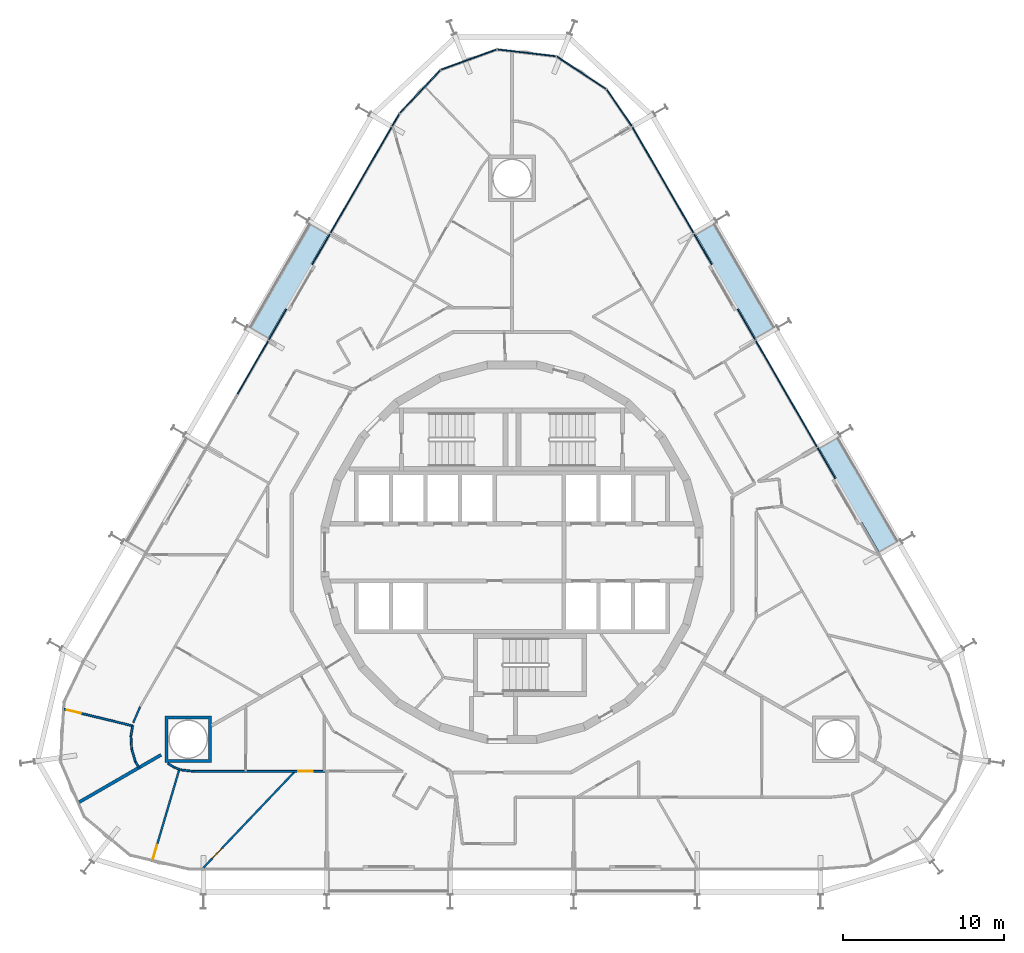
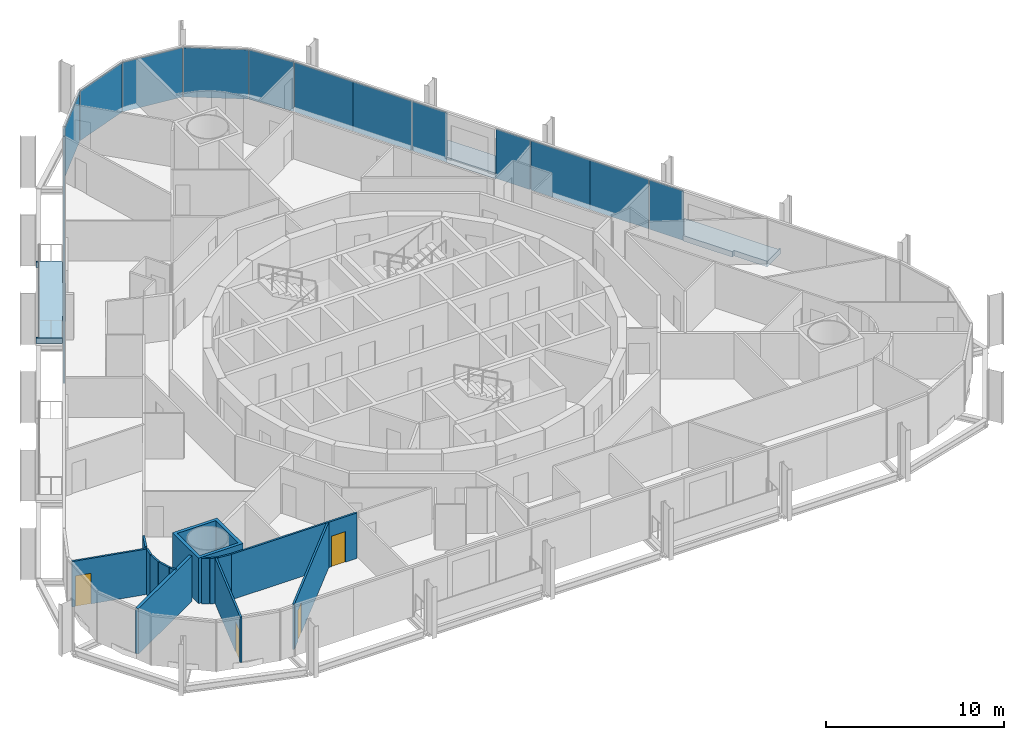
# One storey, part 12 of 20: 18 plates, 14 walls, 4 doors, 3 slabs, 4 openings, 3 elements without a shape of their own.
"""IFC4 building model written with IfcOpenShell, lengths in metres."""

from ifc_helpers import new_model, si_unit, direction, frame, frame_2d, origin, origin_2d, place, context, subcontext, project, spatial, polyline, rectangle, outline, extrude, material, layer, layer_set, type_object, element, fill, aggregate, save


model = new_model("IFC4")

# Units and contexts
model_context = context("Model", 3, precision=1e-05, world=origin(), true_north=direction((0.0, 1.0)))
body_context = subcontext(model_context, "Body", "Model", "MODEL_VIEW")
ifc_project = project(units=[si_unit("LENGTHUNIT", "METRE"), si_unit("AREAUNIT", "SQUARE_METRE"), si_unit("VOLUMEUNIT", "CUBIC_METRE"), si_unit("PLANEANGLEUNIT", "RADIAN"), si_unit("MASSUNIT", "GRAM", prefix="KILO")], contexts=[model_context])

# Site, building, storey
site_placement = place(None, origin())
site = spatial("IfcSite", under=ifc_project, at=site_placement, CompositionType="ELEMENT")
building_placement = place(site_placement, origin())
building = spatial("IfcBuilding", under=site, at=building_placement, Name="Spindle Arch Residences", CompositionType="ELEMENT")
storey_placement = place(building_placement, frame((0.0, 0.0, 59.39990234375)))
storey = spatial("IfcBuildingStorey", under=building, at=storey_placement, Name="L13", CompositionType="ELEMENT", Elevation=59.39990234375)

# Slabs
ifc_material_1 = material(Name="Concrete C40/50", Category="concrete")
ifc_layer_1 = layer(ifc_material_1, 0.3798828125)
ifc_layer_set_1 = layer_set([ifc_layer_1], Name="Balcony slab 380")
slab_type = type_object("IfcSlabType", Name="Balcony slab 380", PredefinedType="FLOOR", material=ifc_layer_set_1)
slab_1_placement = place(storey_placement, frame((0.0, 0.0, -0.3798828125)))
element("IfcSlab", 1, at=slab_1_placement, inside=storey, type_object=slab_type, Name="Balcony L13 bay 7", PredefinedType="FLOOR", context=body_context, shape_type="SweptSolid", body=[
    extrude(outline(polyline([(24.151611328125, 0.728271484375), (24.114013671875, 0.793212890625), (23.984130859375, 0.71826171875), (20.2939453125, 7.109375), (20.424072265625, 7.1845703125), (20.386474609375, 7.24951171875), (19.09619140625, 6.50439453125), (20.1787109375, 4.62939453125), (20.0400390625, 4.549560546875), (21.64013671875, 1.778076171875), (21.778564453125, 1.858154296875), (22.861083984375, -0.016845703125), (24.151611328125, 0.728271484375)])), origin(), (0.0, 0.0, 1.0), 0.3798828125),
])
slab_2_placement = place(storey_placement, frame((0.0, 0.0, -0.3798828125)))
element("IfcSlab", 2, at=slab_2_placement, inside=storey, type_object=slab_type, Name="Balcony L13 bay 9", PredefinedType="FLOOR", context=body_context, shape_type="SweptSolid", body=[
    extrude(outline(polyline([(16.471435546875, 14.030517578125), (16.433837890625, 14.095458984375), (16.303955078125, 14.0205078125), (12.614013671875, 20.411865234375), (12.743896484375, 20.48681640625), (12.706298828125, 20.5517578125), (11.416015625, 19.806640625), (12.49853515625, 17.931640625), (12.35986328125, 17.851806640625), (13.9599609375, 15.08056640625), (14.0986328125, 15.160400390625), (15.18115234375, 13.285400390625), (16.471435546875, 14.030517578125)])), origin(), (0.0, 0.0, 1.0), 0.3798828125),
])
slab_3_placement = place(storey_placement, frame((0.0, 0.0, -0.3798828125)))
element("IfcSlab", 3, at=slab_3_placement, inside=storey, type_object=slab_type, Name="Balcony L13 bay 15", PredefinedType="FLOOR", context=body_context, shape_type="SweptSolid", body=[
    extrude(outline(polyline([(-12.706298828125, 20.5517578125), (-12.743896484375, 20.48681640625), (-12.614013671875, 20.411865234375), (-16.303955078125, 14.0205078125), (-16.433837890625, 14.095458984375), (-16.471435546875, 14.030517578125), (-15.18115234375, 13.285400390625), (-14.0986328125, 15.160400390625), (-13.9599609375, 15.08056640625), (-12.35986328125, 17.851806640625), (-12.49853515625, 17.931640625), (-11.416015625, 19.806640625), (-12.706298828125, 20.5517578125)])), origin(), (0.0, 0.0, 1.0), 0.3798828125),
])

# Curtain wall, plates
ifc_material_2 = material(Name="Aluminium bronze unitised frame with tinted glass", Category="aluminium")
ifc_layer_2 = layer(ifc_material_2, 0.159912109375)
ifc_layer_set_2 = layer_set([ifc_layer_2], Name="CW-C typical residential unitised wall")
curtain_wall_type_1 = type_object("IfcCurtainWallType", Name="CW-C typical residential unitised wall", PredefinedType="NOTDEFINED", material=ifc_layer_set_2)
curtain_wall_1_placement = place(storey_placement, origin())
curtain_wall_1 = element("IfcCurtainWall", 4, at=curtain_wall_1_placement, inside=storey, type_object=curtain_wall_type_1, Name="CW-C L13 run 2", PredefinedType="NOTDEFINED")
ifc_material_3 = material(Name="Tinted double glazing over non-combustible spandrel zone with 0.55 mm stainless steel cavity fire stop (K0)", Category="steel")
ifc_layer_3 = layer(ifc_material_3, 0.070068359375)
ifc_layer_set_3 = layer_set([ifc_layer_3], Name="Unitised glass panel with spandrel zone and stainless cavity fire stop")
plate_type = type_object("IfcPlateType", Name="Unitised glass panel with spandrel zone and stainless cavity fire stop", PredefinedType="CURTAIN_PANEL", material=ifc_layer_set_3)
plate_1_placement = place(storey_placement, frame((19.556884765625, 5.54638671875, -0.3798828125), z_axis=(0.0, 0.0, 1.0), x_axis=(-0.5, 0.866025403784, 0.0)))
plate_1 = element("IfcPlate", 5, at=plate_1_placement, type_object=plate_type, Name="CW-C unit 06R", PredefinedType="CURTAIN_PANEL", context=body_context, shape_type="SweptSolid", body=[
    extrude(rectangle(XDim=2.2099609375, YDim=0.070068359375, at=origin_2d()), origin(), (0.0, 0.0, 1.0), 3.3798828125),
])
plate_2_placement = place(storey_placement, frame((18.021728515625, 8.205078125, -0.3798828125), z_axis=(0.0, 0.0, 1.0), x_axis=(-0.5, 0.866025403784, 0.0)))
plate_2 = element("IfcPlate", 6, at=plate_2_placement, type_object=plate_type, Name="CW-C unit 07A", PredefinedType="CURTAIN_PANEL", context=body_context, shape_type="SweptSolid", body=[
    extrude(rectangle(XDim=3.81005859375, YDim=0.070068359375, at=origin_2d()), origin(), (0.0, 0.0, 1.0), 3.3798828125),
])
plate_3_placement = place(storey_placement, frame((16.11669921875, 11.504638671875, -0.3798828125), z_axis=(0.0, 0.0, 1.0), x_axis=(-0.5, 0.866025403784, 0.0)))
plate_3 = element("IfcPlate", 7, at=plate_3_placement, type_object=plate_type, Name="CW-C unit 07B", PredefinedType="CURTAIN_PANEL", context=body_context, shape_type="SweptSolid", body=[
    extrude(rectangle(XDim=3.81005859375, YDim=0.070068359375, at=origin_2d()), origin(), (0.0, 0.0, 1.0), 3.3798828125),
])
plate_4_placement = place(storey_placement, frame((14.581787109375, 14.16357421875, -0.3798828125), z_axis=(0.0, 0.0, 1.0), x_axis=(-0.5, 0.866025403784, 0.0)))
plate_4 = element("IfcPlate", 8, at=plate_4_placement, type_object=plate_type, Name="CW-C unit 08L", PredefinedType="CURTAIN_PANEL", context=body_context, shape_type="SweptSolid", body=[
    extrude(rectangle(XDim=2.2099609375, YDim=0.070068359375, at=origin_2d()), origin(), (0.0, 0.0, 1.0), 3.3798828125),
])
plate_5_placement = place(storey_placement, frame((11.876708984375, 18.8486328125, -0.3798828125), z_axis=(0.0, 0.0, 1.0), x_axis=(-0.5, 0.866025403784, 0.0)))
plate_5 = element("IfcPlate", 9, at=plate_5_placement, type_object=plate_type, Name="CW-C unit 08R", PredefinedType="CURTAIN_PANEL", context=body_context, shape_type="SweptSolid", body=[
    extrude(rectangle(XDim=2.2099609375, YDim=0.070068359375, at=origin_2d()), origin(), (0.0, 0.0, 1.0), 3.3798828125),
])
plate_6_placement = place(storey_placement, frame((10.341796875, 21.50732421875, -0.3798828125), z_axis=(0.0, 0.0, 1.0), x_axis=(-0.5, 0.866025403784, 0.0)))
plate_6 = element("IfcPlate", 10, at=plate_6_placement, type_object=plate_type, Name="CW-C unit 09A", PredefinedType="CURTAIN_PANEL", context=body_context, shape_type="SweptSolid", body=[
    extrude(rectangle(XDim=3.81005859375, YDim=0.070068359375, at=origin_2d()), origin(), (0.0, 0.0, 1.0), 3.3798828125),
])
plate_7_placement = place(storey_placement, frame((8.436767578125, 24.80712890625, -0.3798828125), z_axis=(0.0, 0.0, 1.0), x_axis=(-0.5, 0.866025403784, 0.0)))
plate_7 = element("IfcPlate", 11, at=plate_7_placement, type_object=plate_type, Name="CW-C unit 09B", PredefinedType="CURTAIN_PANEL", context=body_context, shape_type="SweptSolid", body=[
    extrude(rectangle(XDim=3.81005859375, YDim=0.070068359375, at=origin_2d()), origin(), (0.0, 0.0, 1.0), 3.3798828125),
])
aggregate(curtain_wall_1, [plate_1, plate_2, plate_3, plate_4, plate_5, plate_6, plate_7])

ifc_material_4 = material(Name="Aluminium bronze unitised frame with tinted glass", Category="aluminium")
ifc_layer_4 = layer(ifc_material_4, 0.159912109375)
ifc_layer_set_4 = layer_set([ifc_layer_4], Name="CW-D corner wall on the fillet arcs")
curtain_wall_type_2 = type_object("IfcCurtainWallType", Name="CW-D corner wall on the fillet arcs", PredefinedType="NOTDEFINED", material=ifc_layer_set_4)
curtain_wall_2_placement = place(storey_placement, origin())
curtain_wall_2 = element("IfcCurtainWall", 12, at=curtain_wall_2_placement, inside=storey, type_object=curtain_wall_type_2, Name="CW-D L13 run 3", PredefinedType="NOTDEFINED")
plate_8_placement = place(storey_placement, frame((6.673095703125, 27.643798828125, -0.3798828125), z_axis=(0.0, 0.0, 1.0), x_axis=(-0.565500718711, 0.824747802142, 0.0)))
plate_8 = element("IfcPlate", 13, at=plate_8_placement, type_object=plate_type, Name="CW-D unit 00", PredefinedType="CURTAIN_PANEL", context=body_context, shape_type="SweptSolid", body=[
    extrude(rectangle(XDim=2.755126953125, YDim=0.070068359375, at=origin_2d()), origin(), (0.0, 0.0, 1.0), 3.3798828125),
])
plate_9_placement = place(storey_placement, frame((4.3203125, 29.82861328125, -0.3798828125), z_axis=(0.0, 0.0, 1.0), x_axis=(-0.835487811704, 0.549508977628, 0.0)))
plate_9 = element("IfcPlate", 14, at=plate_9_placement, type_object=plate_type, Name="CW-D unit 01", PredefinedType="CURTAIN_PANEL", context=body_context, shape_type="SweptSolid", body=[
    extrude(rectangle(XDim=3.666748046875, YDim=0.070068359375, at=origin_2d()), origin(), (0.0, 0.0, 1.0), 3.3798828125),
])
plate_10_placement = place(storey_placement, frame((0.912841796875, 31.06884765625, -0.3798828125), z_axis=(0.0, 0.0, 1.0), x_axis=(-0.993238357591, 0.116092915414, 0.0)))
plate_10 = element("IfcPlate", 15, at=plate_10_placement, type_object=plate_type, Name="CW-D unit 02", PredefinedType="CURTAIN_PANEL", context=body_context, shape_type="SweptSolid", body=[
    extrude(rectangle(XDim=3.666748046875, YDim=0.070068359375, at=origin_2d()), origin(), (0.0, 0.0, 1.0), 3.3798828125),
])
plate_11_placement = place(storey_placement, frame((-2.68896484375, 30.64794921875, -0.3798828125), z_axis=(0.0, 0.0, 1.0), x_axis=(-0.939692621437, -0.342020141538, 0.0)))
plate_11 = element("IfcPlate", 16, at=plate_11_placement, type_object=plate_type, Name="CW-D unit 03", PredefinedType="CURTAIN_PANEL", context=body_context, shape_type="SweptSolid", body=[
    extrude(rectangle(XDim=3.666748046875, YDim=0.070068359375, at=origin_2d()), origin(), (0.0, 0.0, 1.0), 3.3798828125),
])
plate_12_placement = place(storey_placement, frame((-5.71875, 28.6552734375, -0.3798828125), z_axis=(0.0, 0.0, 1.0), x_axis=(-0.686241639236, -0.727373640284, 0.0)))
plate_12 = element("IfcPlate", 17, at=plate_12_placement, type_object=plate_type, Name="CW-D unit 04", PredefinedType="CURTAIN_PANEL", context=body_context, shape_type="SweptSolid", body=[
    extrude(rectangle(XDim=3.666748046875, YDim=0.070068359375, at=origin_2d()), origin(), (0.0, 0.0, 1.0), 3.3798828125),
])
plate_13_placement = place(storey_placement, frame((-7.2333984375, 26.891357421875, -0.3798828125), z_axis=(0.0, 0.0, 1.0), x_axis=(-0.5, -0.866025403784, 0.0)))
plate_13 = element("IfcPlate", 18, at=plate_13_placement, type_object=plate_type, Name="CW-D unit 05", PredefinedType="CURTAIN_PANEL", context=body_context, shape_type="SweptSolid", body=[
    extrude(rectangle(XDim=0.88330078125, YDim=0.070068359375, at=origin_2d()), origin(), (0.0, 0.0, 1.0), 3.3798828125),
])
aggregate(curtain_wall_2, [plate_8, plate_9, plate_10, plate_11, plate_12, plate_13])

curtain_wall_3_placement = place(storey_placement, origin())
curtain_wall_3 = element("IfcCurtainWall", 19, at=curtain_wall_3_placement, inside=storey, type_object=curtain_wall_type_1, Name="CW-C L13 run 4", PredefinedType="NOTDEFINED")
plate_14_placement = place(storey_placement, frame((-8.436767578125, 24.80712890625, -0.3798828125), z_axis=(0.0, 0.0, 1.0), x_axis=(-0.5, -0.866025403784, 0.0)))
plate_14 = element("IfcPlate", 20, at=plate_14_placement, type_object=plate_type, Name="CW-C unit 13A", PredefinedType="CURTAIN_PANEL", context=body_context, shape_type="SweptSolid", body=[
    extrude(rectangle(XDim=3.81005859375, YDim=0.070068359375, at=origin_2d()), origin(), (0.0, 0.0, 1.0), 3.3798828125),
])
plate_15_placement = place(storey_placement, frame((-10.341796875, 21.50732421875, -0.3798828125), z_axis=(0.0, 0.0, 1.0), x_axis=(-0.5, -0.866025403784, 0.0)))
plate_15 = element("IfcPlate", 21, at=plate_15_placement, type_object=plate_type, Name="CW-C unit 13B", PredefinedType="CURTAIN_PANEL", context=body_context, shape_type="SweptSolid", body=[
    extrude(rectangle(XDim=3.81005859375, YDim=0.070068359375, at=origin_2d()), origin(), (0.0, 0.0, 1.0), 3.3798828125),
])
plate_16_placement = place(storey_placement, frame((-11.876708984375, 18.8486328125, -0.3798828125), z_axis=(0.0, 0.0, 1.0), x_axis=(-0.5, -0.866025403784, 0.0)))
plate_16 = element("IfcPlate", 22, at=plate_16_placement, type_object=plate_type, Name="CW-C unit 14L", PredefinedType="CURTAIN_PANEL", context=body_context, shape_type="SweptSolid", body=[
    extrude(rectangle(XDim=2.2099609375, YDim=0.070068359375, at=origin_2d()), origin(), (0.0, 0.0, 1.0), 3.3798828125),
])
plate_17_placement = place(storey_placement, frame((-14.581787109375, 14.16357421875, -0.3798828125), z_axis=(0.0, 0.0, 1.0), x_axis=(-0.5, -0.866025403784, 0.0)))
plate_17 = element("IfcPlate", 23, at=plate_17_placement, type_object=plate_type, Name="CW-C unit 14R", PredefinedType="CURTAIN_PANEL", context=body_context, shape_type="SweptSolid", body=[
    extrude(rectangle(XDim=2.2099609375, YDim=0.070068359375, at=origin_2d()), origin(), (0.0, 0.0, 1.0), 3.3798828125),
])
plate_18_placement = place(storey_placement, frame((-16.11669921875, 11.504638671875, -0.3798828125), z_axis=(0.0, 0.0, 1.0), x_axis=(-0.5, -0.866025403784, 0.0)))
plate_18 = element("IfcPlate", 24, at=plate_18_placement, type_object=plate_type, Name="CW-C unit 15A", PredefinedType="CURTAIN_PANEL", context=body_context, shape_type="SweptSolid", body=[
    extrude(rectangle(XDim=3.81005859375, YDim=0.070068359375, at=origin_2d()), origin(), (0.0, 0.0, 1.0), 3.3798828125),
])
aggregate(curtain_wall_3, [plate_14, plate_15, plate_16, plate_17, plate_18])

# Wall
ifc_material_5 = material(Name="Plasterboard on steel studs", Category="steel")
ifc_layer_5 = layer(ifc_material_5, 0.1201171875)
ifc_layer_set_5 = layer_set([ifc_layer_5], Name="Flat partition 120")
wall_type_1 = type_object("IfcWallType", Name="Flat partition 120", PredefinedType="PARTITIONING", material=ifc_layer_set_5)
wall_1_placement = place(storey_placement, frame((-23.563720703125, -10.60595703125, 0.0), z_axis=(0.0, 0.0, 1.0), x_axis=(0.396195073027, 0.918166359713, 0.0)))
element("IfcWall", 25, at=wall_1_placement, inside=storey, type_object=wall_type_1, Name="Flat partition R1C0-W073", PredefinedType="PARTITIONING", context=body_context, shape_type="SweptSolid", body=[
    extrude(rectangle(XDim=1.0869140625, YDim=0.1201171875, at=frame_2d((0.54345703125, 0.0))), origin(), (0.0, 0.0, 1.0), 3.1201171875),
])

# Wall, opening, door
wall_2_placement = place(storey_placement, frame((-27.8828125, -9.76220703125, 0.0), z_axis=(0.0, 0.0, 1.0), x_axis=(0.972097015458, -0.234579181809, 0.0)))
wall_2 = element("IfcWall", 26, at=wall_2_placement, inside=storey, type_object=wall_type_1, Name="Flat partition R1C0-W074", PredefinedType="PARTITIONING", context=body_context, shape_type="SweptSolid", body=[
    extrude(rectangle(XDim=4.40869140625, YDim=0.1201171875, at=frame_2d((2.204345703125, 0.0))), origin(), (0.0, 0.0, 1.0), 3.1201171875),
])
opening_1_placement = place(wall_2_placement, frame((0.199951171875, 0.0, 0.0)))
opening_1 = element("IfcOpeningElement", 27, at=opening_1_placement, cuts=wall_2, Name="Opening R1C0-ID16", PredefinedType="OPENING", context=body_context, shape_type="SweptSolid", body=[
    extrude(rectangle(XDim=0.89990234375, YDim=2.10009765625, at=frame_2d((0.449951171875, 1.050048828125))), frame((0.0, 0.070068359375, 0.0), z_axis=(0.0, -1.0, 0.0), x_axis=(1.0, 0.0, 0.0)), (0.0, 0.0, 1.0), 0.14013671875),
])
ifc_material_6 = material(Name="Timber door set", Category="wood")
door_type = type_object("IfcDoorType", Name="Room door 900x2100", OperationType="NOTDEFINED", PredefinedType="DOOR", material=ifc_material_6)
door_1_placement = place(opening_1_placement, origin())
door_1 = element("IfcDoor", 28, at=door_1_placement, inside=storey, type_object=door_type, Name="Room door R1C0-ID16", OperationType="SINGLE_SWING_RIGHT", OverallHeight=2.10009765625, OverallWidth=0.89990234375, PredefinedType="DOOR", context=body_context, shape_type="SweptSolid", body=[
    extrude(rectangle(XDim=0.89990234375, YDim=2.10009765625, at=frame_2d((0.449951171875, 1.050048828125))), frame((0.0, 0.02490234375, 0.0), z_axis=(0.0, -1.0, 0.0), x_axis=(1.0, 0.0, 0.0)), (0.0, 0.0, 1.0), 0.050048828125),
])
fill(opening_1, door_1)

# Walls
wall_3_placement = place(storey_placement, frame((-23.59716796875, -10.79638671875, 0.0), z_axis=(0.0, 0.0, 1.0), x_axis=(-0.173610040386, -0.984814476882, 0.0)))
element("IfcWall", 29, at=wall_3_placement, inside=storey, type_object=wall_type_1, Name="Flat partition R1C0-W075", PredefinedType="PARTITIONING", context=body_context, shape_type="SweptSolid", body=[
    extrude(rectangle(XDim=0.6357421875, YDim=0.1201171875, at=frame_2d((0.31787109375, 0.0))), origin(), (0.0, 0.0, 1.0), 3.1201171875),
])
wall_4_placement = place(storey_placement, frame((-23.70751953125, -11.42236328125, 0.0), z_axis=(0.0, 0.0, 1.0), x_axis=(0.058031280246, -0.998314765248, 0.0)))
element("IfcWall", 30, at=wall_4_placement, inside=storey, type_object=wall_type_1, Name="Flat partition R1C0-W076", PredefinedType="PARTITIONING", context=body_context, shape_type="SweptSolid", body=[
    extrude(rectangle(XDim=0.828857421875, YDim=0.1201171875, at=frame_2d((0.41455078125, 0.0))), origin(), (0.0, 0.0, 1.0), 3.1201171875),
])
wall_5_placement = place(storey_placement, frame((-23.659423828125, -12.249755859375, 0.0), z_axis=(0.0, 0.0, 1.0), x_axis=(0.286834510868, -0.957980147694, 0.0)))
element("IfcWall", 31, at=wall_5_placement, inside=storey, type_object=wall_type_1, Name="Flat partition R1C0-W077", PredefinedType="PARTITIONING", context=body_context, shape_type="SweptSolid", body=[
    extrude(rectangle(XDim=0.8291015625, YDim=0.1201171875, at=frame_2d((0.41455078125, 0.0))), origin(), (0.0, 0.0, 1.0), 3.1201171875),
])
wall_6_placement = place(storey_placement, frame((-23.421630859375, -13.0439453125, 0.0), z_axis=(0.0, 0.0, 1.0), x_axis=(0.50013037474, -0.865950118807, 0.0)))
element("IfcWall", 32, at=wall_6_placement, inside=storey, type_object=wall_type_1, Name="Flat partition R1C0-W078", PredefinedType="PARTITIONING", context=body_context, shape_type="SweptSolid", body=[
    extrude(rectangle(XDim=0.41455078125, YDim=0.1201171875, at=frame_2d((0.207275390625, 0.0))), origin(), (0.0, 0.0, 1.0), 3.1201171875),
])
wall_7_placement = place(storey_placement, frame((-20.657470703125, -13.513671875, 0.0), z_axis=(0.0, 0.0, 1.0), x_axis=(-0.939665068469, 0.34209583321, 0.0)))
element("IfcWall", 33, at=wall_7_placement, inside=storey, type_object=wall_type_1, Name="Flat partition R1C0-W086", PredefinedType="PARTITIONING", context=body_context, shape_type="SweptSolid", body=[
    extrude(rectangle(XDim=0.388916015625, YDim=0.1201171875, at=frame_2d((0.1943359375, 0.0))), origin(), (0.0, 0.0, 1.0), 3.1201171875),
])
wall_8_placement = place(storey_placement, frame((-21.02294921875, -13.380615234375, 0.0), z_axis=(0.0, 0.0, 1.0), x_axis=(-0.835339231854, 0.549734815821, 0.0)))
element("IfcWall", 34, at=wall_8_placement, inside=storey, type_object=wall_type_1, Name="Flat partition R1C0-W087", PredefinedType="PARTITIONING", context=body_context, shape_type="SweptSolid", body=[
    extrude(rectangle(XDim=0.454833984375, YDim=0.1201171875, at=frame_2d((0.2275390625, 0.0))), origin(), (0.0, 0.0, 1.0), 3.1201171875),
])

# Wall, opening, door
wall_9_placement = place(storey_placement, frame((-22.395751953125, -19.26611328125, 0.0), z_axis=(0.0, 0.0, 1.0), x_axis=(0.282896205585, 0.959150528783, 0.0)))
wall_9 = element("IfcWall", 35, at=wall_9_placement, inside=storey, type_object=wall_type_1, Name="Flat partition R1C0-W088", PredefinedType="PARTITIONING", context=body_context, shape_type="SweptSolid", body=[
    extrude(rectangle(XDim=6.01171875, YDim=0.1201171875, at=frame_2d((3.005859375, 0.0))), origin(), (0.0, 0.0, 1.0), 3.1201171875),
])
opening_2_placement = place(wall_9_placement, frame((0.199951171875, 0.0, 0.0)))
opening_2 = element("IfcOpeningElement", 36, at=opening_2_placement, cuts=wall_9, Name="Opening R1C0-ID22", PredefinedType="OPENING", context=body_context, shape_type="SweptSolid", body=[
    extrude(rectangle(XDim=0.89990234375, YDim=2.10009765625, at=frame_2d((0.449951171875, 1.050048828125))), frame((0.0, 0.070068359375, 0.0), z_axis=(0.0, -1.0, 0.0), x_axis=(1.0, 0.0, 0.0)), (0.0, 0.0, 1.0), 0.14013671875),
])
door_2_placement = place(opening_2_placement, origin())
door_2 = element("IfcDoor", 37, at=door_2_placement, inside=storey, type_object=door_type, Name="Room door R1C0-ID22", OperationType="SINGLE_SWING_LEFT", OverallHeight=2.10009765625, OverallWidth=0.89990234375, PredefinedType="DOOR", context=body_context, shape_type="SweptSolid", body=[
    extrude(rectangle(XDim=0.89990234375, YDim=2.10009765625, at=frame_2d((0.449951171875, 1.050048828125))), frame((0.0, 0.02490234375, 0.0), z_axis=(0.0, -1.0, 0.0), x_axis=(1.0, 0.0, 0.0)), (0.0, 0.0, 1.0), 0.050048828125),
])
fill(opening_2, door_2)

# Wall
wall_10_placement = place(storey_placement, frame((-20.595458984375, -13.536376953125, 0.0), z_axis=(0.0, 0.0, 1.0), x_axis=(0.993259655268, -0.115910556968, 0.0)))
element("IfcWall", 38, at=wall_10_placement, inside=storey, type_object=wall_type_1, Name="Flat partition R1C0-W090", PredefinedType="PARTITIONING", context=body_context, shape_type="SweptSolid", body=[
    extrude(rectangle(XDim=0.806640625, YDim=0.1201171875, at=frame_2d((0.4033203125, 0.0))), origin(), (0.0, 0.0, 1.0), 3.1201171875),
])

# Wall, opening, door
wall_11_placement = place(storey_placement, frame((-19.794189453125, -13.6298828125, 0.0), z_axis=(0.0, 0.0, 1.0), x_axis=(1.0, 0.0, 0.0)))
wall_11 = element("IfcWall", 39, at=wall_11_placement, inside=storey, type_object=wall_type_1, Name="Flat partition R1C0-W091", PredefinedType="PARTITIONING", context=body_context, shape_type="SweptSolid", body=[
    extrude(rectangle(XDim=8.15576171875, YDim=0.1201171875, at=frame_2d((4.077880859375, 0.0))), origin(), (0.0, 0.0, 1.0), 3.1201171875),
])
opening_3_placement = place(wall_11_placement, frame((6.49072265625, 0.0, 0.0)))
opening_3 = element("IfcOpeningElement", 40, at=opening_3_placement, cuts=wall_11, Name="Opening R1C0-ID20", PredefinedType="OPENING", context=body_context, shape_type="SweptSolid", body=[
    extrude(rectangle(XDim=0.89990234375, YDim=2.10009765625, at=frame_2d((0.449951171875, 1.050048828125))), frame((0.0, 0.070068359375, 0.0), z_axis=(0.0, -1.0, 0.0), x_axis=(1.0, 0.0, 0.0)), (0.0, 0.0, 1.0), 0.14013671875),
])
door_3_placement = place(opening_3_placement, origin())
door_3 = element("IfcDoor", 41, at=door_3_placement, inside=storey, type_object=door_type, Name="Room door R1C0-ID20", OperationType="SINGLE_SWING_LEFT", OverallHeight=2.10009765625, OverallWidth=0.89990234375, PredefinedType="DOOR", context=body_context, shape_type="SweptSolid", body=[
    extrude(rectangle(XDim=0.89990234375, YDim=2.10009765625, at=frame_2d((0.449951171875, 1.050048828125))), frame((0.0, 0.02490234375, 0.0), z_axis=(0.0, -1.0, 0.0), x_axis=(1.0, 0.0, 0.0)), (0.0, 0.0, 1.0), 0.050048828125),
])
fill(opening_3, door_3)

wall_12_placement = place(storey_placement, frame((-19.2001953125, -19.6298828125, 0.0), z_axis=(0.0, 0.0, 1.0), x_axis=(0.688544699396, 0.72519390299, 0.0)))
wall_12 = element("IfcWall", 42, at=wall_12_placement, inside=storey, type_object=wall_type_1, Name="Flat partition R1C0-W093", PredefinedType="PARTITIONING", context=body_context, shape_type="SweptSolid", body=[
    extrude(rectangle(XDim=8.273681640625, YDim=0.1201171875, at=frame_2d((4.13671875, 0.0))), origin(), (0.0, 0.0, 1.0), 3.1201171875),
])
opening_4_placement = place(wall_12_placement, frame((0.800048828125, 0.0, 0.0)))
opening_4 = element("IfcOpeningElement", 43, at=opening_4_placement, cuts=wall_12, Name="Opening R1C0-ID21", PredefinedType="OPENING", context=body_context, shape_type="SweptSolid", body=[
    extrude(rectangle(XDim=0.89990234375, YDim=2.10009765625, at=frame_2d((0.449951171875, 1.050048828125))), frame((0.0, 0.070068359375, 0.0), z_axis=(0.0, -1.0, 0.0), x_axis=(1.0, 0.0, 0.0)), (0.0, 0.0, 1.0), 0.14013671875),
])
door_4_placement = place(opening_4_placement, origin())
door_4 = element("IfcDoor", 44, at=door_4_placement, inside=storey, type_object=door_type, Name="Room door R1C0-ID21", OperationType="SINGLE_SWING_LEFT", OverallHeight=2.10009765625, OverallWidth=0.89990234375, PredefinedType="DOOR", context=body_context, shape_type="SweptSolid", body=[
    extrude(rectangle(XDim=0.89990234375, YDim=2.10009765625, at=frame_2d((0.449951171875, 1.050048828125))), frame((0.0, 0.02490234375, 0.0), z_axis=(0.0, -1.0, 0.0), x_axis=(1.0, 0.0, 0.0)), (0.0, 0.0, 1.0), 0.050048828125),
])
fill(opening_4, door_4)

# Walls
ifc_material_7 = material(Name="Calcium silicate block, plastered")
ifc_layer_6 = layer(ifc_material_7, 0.199951171875)
ifc_layer_set_6 = layer_set([ifc_layer_6], Name="Flat party wall 200")
wall_type_2 = type_object("IfcWallType", Name="Flat party wall 200", PredefinedType="STANDARD", material=ifc_layer_set_6)
wall_13_placement = place(storey_placement, frame((-27.02490234375, -15.602783203125, 0.0), z_axis=(0.0, 0.0, 1.0), x_axis=(0.866020924479, 0.500007758305, 0.0)))
element("IfcWall", 45, at=wall_13_placement, inside=storey, type_object=wall_type_2, Name="Flat party wall R1C0-W025", PredefinedType="STANDARD", context=body_context, shape_type="SweptSolid", body=[
    extrude(rectangle(XDim=6.0, YDim=0.199951171875, at=frame_2d((3.0, 0.0))), origin(), (0.0, 0.0, 1.0), 3.1201171875),
])
ifc_material_8 = material(Name="Calcium silicate block, plastered")
ifc_layer_7 = layer(ifc_material_8, 0.199951171875)
ifc_layer_set_7 = layer_set([ifc_layer_7], Name="Mega-column casing wall 200")
wall_type_3 = type_object("IfcWallType", Name="Mega-column casing wall 200", PredefinedType="STANDARD", material=ifc_layer_set_7)
wall_14_placement = place(storey_placement, origin())
element("IfcWall", 46, at=wall_14_placement, inside=storey, type_object=wall_type_3, Name="Mega-column casing wall R1C0-WC02", PredefinedType="STANDARD", context=body_context, shape_type="SweptSolid", body=[
    extrude(outline(polyline([(-18.693603515625, -10.179931640625), (-18.693603515625, -13.079833984375), (-21.593505859375, -13.079833984375), (-21.593505859375, -10.179931640625), (-18.693603515625, -10.179931640625)]), holes=[polyline([(-21.3935546875, -12.8798828125), (-18.8935546875, -12.8798828125), (-18.8935546875, -10.3798828125), (-21.3935546875, -10.3798828125), (-21.3935546875, -12.8798828125)])]), origin(), (0.0, 0.0, 1.0), 3.1201171875),
])

save(model, "model.ifc")
